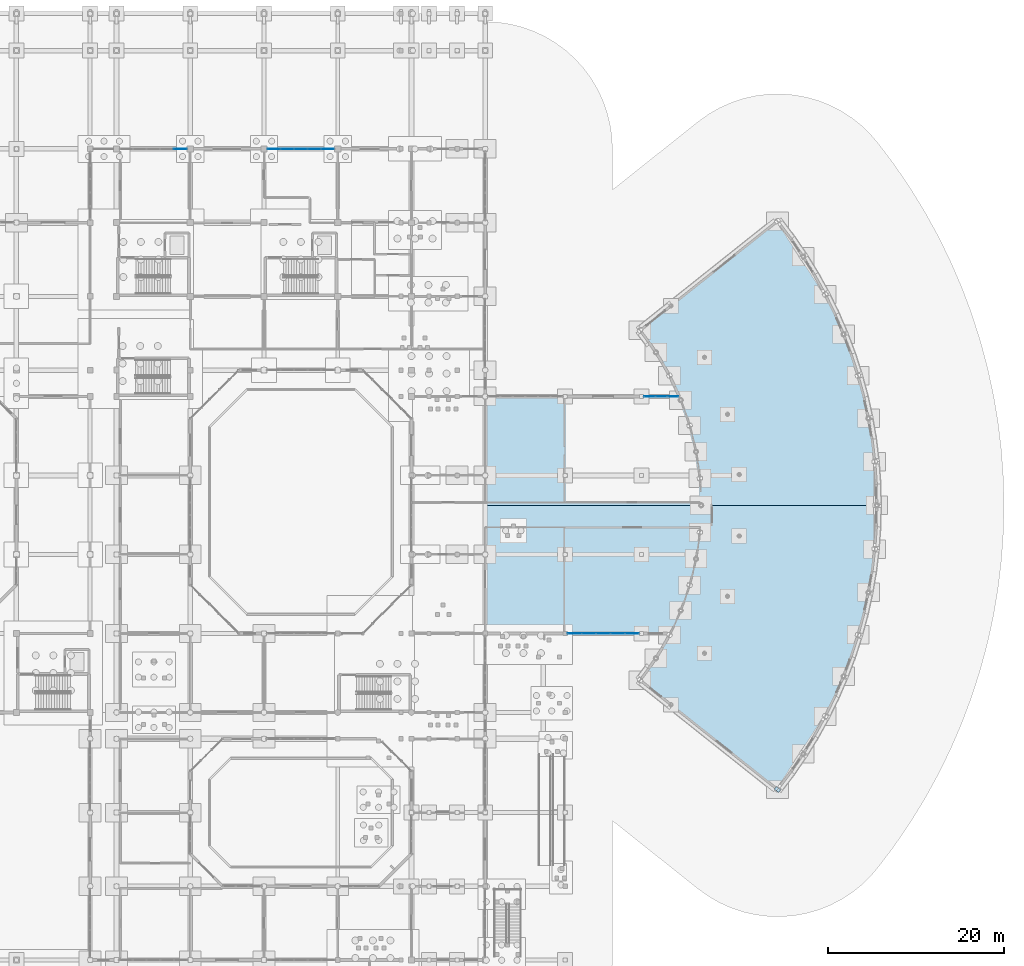
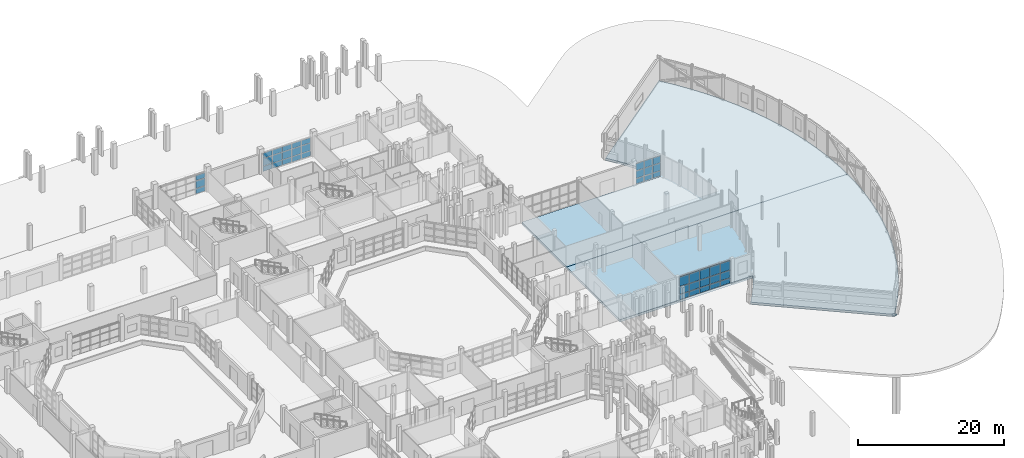
# One storey, part 54 of 88: 43 plates, 2 slabs, 4 elements without a shape of their own.
"""IFC4 building model written with IfcOpenShell, lengths in metres."""

from ifc_helpers import new_model, si_unit, direction, frame, origin, origin_2d, place, context, subcontext, project, spatial, polyline, rectangle, outline, extrude, material, layer, layer_set, type_object, element, aggregate, save


model = new_model("IFC4")

# Units and contexts
model_context = context("Model", 3, precision=1e-05, world=origin(), true_north=direction((0.0, 1.0)))
body_context = subcontext(model_context, "Body", "Model", "MODEL_VIEW")
ifc_project = project(units=[si_unit("LENGTHUNIT", "METRE"), si_unit("AREAUNIT", "SQUARE_METRE"), si_unit("VOLUMEUNIT", "CUBIC_METRE"), si_unit("PLANEANGLEUNIT", "RADIAN"), si_unit("MASSUNIT", "GRAM", prefix="KILO")], contexts=[model_context])

# Site, building, storey
site_placement = place(None, origin())
site = spatial("IfcSite", under=ifc_project, at=site_placement, CompositionType="ELEMENT")
building_placement = place(site_placement, origin())
building = spatial("IfcBuilding", under=site, at=building_placement, Name="Vanh Quang Courtyard School", CompositionType="ELEMENT")
storey_placement = place(building_placement, origin())
storey = spatial("IfcBuildingStorey", under=building, at=storey_placement, Name="L00", CompositionType="ELEMENT", Elevation=0.0)

# Curtain wall, plates
ifc_material_1 = material(Name="Thermally broken aluminium unitised curtain wall", Category="aluminium")
curtain_wall_type_1 = type_object("IfcCurtainWallType", Name="CW-SYS-02", PredefinedType="NOTDEFINED", material=ifc_material_1)
curtain_wall_1_placement = place(storey_placement, origin())
curtain_wall_1 = element("IfcCurtainWall", 1, at=curtain_wall_1_placement, inside=storey, type_object=curtain_wall_type_1, Name="Curtain Wall CW-02 (L00)", PredefinedType="NOTDEFINED")
ifc_material_2 = material(Name="Low-E laminated double glazing", Category="glass")
ifc_layer_1 = layer(ifc_material_2, 0.028076171875)
ifc_layer_set_1 = layer_set([ifc_layer_1], Name="Low-E laminated double glazing")
plate_type_1 = type_object("IfcPlateType", Name="CW-PNL-28", PredefinedType="CURTAIN_PANEL", material=ifc_layer_set_1)
plate_1_placement = place(storey_placement, frame((95.343994140625, 96.60009765625, 0.06982421875), z_axis=(0.0, 0.0, 1.0), x_axis=(1.0, 0.0, 0.0)))
plate_1 = element("IfcPlate", 2, at=plate_1_placement, type_object=plate_type_1, Name="CW-02 panel 1.1", PredefinedType="CURTAIN_PANEL", context=body_context, shape_type="SweptSolid", body=[
    extrude(rectangle(XDim=1.431884765625, YDim=0.028076171875, at=origin_2d()), origin(), (0.0, 0.0, 1.0), 0.844970703125),
])
plate_2_placement = place(storey_placement, frame((95.343994140625, 96.60009765625, 0.985107421875), z_axis=(0.0, 0.0, 1.0), x_axis=(1.0, 0.0, 0.0)))
plate_2 = element("IfcPlate", 3, at=plate_2_placement, type_object=plate_type_1, Name="CW-02 panel 1.2", PredefinedType="CURTAIN_PANEL", context=body_context, shape_type="SweptSolid", body=[
    extrude(rectangle(XDim=1.431884765625, YDim=0.028076171875, at=origin_2d()), origin(), (0.0, 0.0, 1.0), 1.22998046875),
])
plate_3_placement = place(storey_placement, frame((95.343994140625, 96.60009765625, 2.28515625), z_axis=(0.0, 0.0, 1.0), x_axis=(1.0, 0.0, 0.0)))
plate_3 = element("IfcPlate", 4, at=plate_3_placement, type_object=plate_type_1, Name="CW-02 panel 1.3", PredefinedType="CURTAIN_PANEL", context=body_context, shape_type="SweptSolid", body=[
    extrude(rectangle(XDim=1.431884765625, YDim=0.028076171875, at=origin_2d()), origin(), (0.0, 0.0, 1.0), 0.864990234375),
])
plate_4_placement = place(storey_placement, frame((96.86328125, 96.60009765625, 0.06982421875), z_axis=(0.0, 0.0, 1.0), x_axis=(1.0, 0.0, 0.0)))
plate_4 = element("IfcPlate", 5, at=plate_4_placement, type_object=plate_type_1, Name="CW-02 panel 2.1", PredefinedType="CURTAIN_PANEL", context=body_context, shape_type="SweptSolid", body=[
    extrude(rectangle(XDim=1.466796875, YDim=0.028076171875, at=origin_2d()), origin(), (0.0, 0.0, 1.0), 0.844970703125),
])
plate_5_placement = place(storey_placement, frame((96.86328125, 96.60009765625, 0.985107421875), z_axis=(0.0, 0.0, 1.0), x_axis=(1.0, 0.0, 0.0)))
plate_5 = element("IfcPlate", 6, at=plate_5_placement, type_object=plate_type_1, Name="CW-02 panel 2.2", PredefinedType="CURTAIN_PANEL", context=body_context, shape_type="SweptSolid", body=[
    extrude(rectangle(XDim=1.466796875, YDim=0.028076171875, at=origin_2d()), origin(), (0.0, 0.0, 1.0), 1.22998046875),
])
plate_6_placement = place(storey_placement, frame((96.86328125, 96.60009765625, 2.28515625), z_axis=(0.0, 0.0, 1.0), x_axis=(1.0, 0.0, 0.0)))
plate_6 = element("IfcPlate", 7, at=plate_6_placement, type_object=plate_type_1, Name="CW-02 panel 2.3", PredefinedType="CURTAIN_PANEL", context=body_context, shape_type="SweptSolid", body=[
    extrude(rectangle(XDim=1.466796875, YDim=0.028076171875, at=origin_2d()), origin(), (0.0, 0.0, 1.0), 0.864990234375),
])
plate_7_placement = place(storey_placement, frame((98.39990234375, 96.60009765625, 0.06982421875), z_axis=(0.0, 0.0, 1.0), x_axis=(1.0, 0.0, 0.0)))
plate_7 = element("IfcPlate", 8, at=plate_7_placement, type_object=plate_type_1, Name="CW-02 panel 3.1", PredefinedType="CURTAIN_PANEL", context=body_context, shape_type="SweptSolid", body=[
    extrude(rectangle(XDim=1.466796875, YDim=0.028076171875, at=origin_2d()), origin(), (0.0, 0.0, 1.0), 0.844970703125),
])
plate_8_placement = place(storey_placement, frame((98.39990234375, 96.60009765625, 0.985107421875), z_axis=(0.0, 0.0, 1.0), x_axis=(1.0, 0.0, 0.0)))
plate_8 = element("IfcPlate", 9, at=plate_8_placement, type_object=plate_type_1, Name="CW-02 panel 3.2", PredefinedType="CURTAIN_PANEL", context=body_context, shape_type="SweptSolid", body=[
    extrude(rectangle(XDim=1.466796875, YDim=0.028076171875, at=origin_2d()), origin(), (0.0, 0.0, 1.0), 1.22998046875),
])
plate_9_placement = place(storey_placement, frame((98.39990234375, 96.60009765625, 2.28515625), z_axis=(0.0, 0.0, 1.0), x_axis=(1.0, 0.0, 0.0)))
plate_9 = element("IfcPlate", 10, at=plate_9_placement, type_object=plate_type_1, Name="CW-02 panel 3.3", PredefinedType="CURTAIN_PANEL", context=body_context, shape_type="SweptSolid", body=[
    extrude(rectangle(XDim=1.466796875, YDim=0.028076171875, at=origin_2d()), origin(), (0.0, 0.0, 1.0), 0.864990234375),
])
plate_10_placement = place(storey_placement, frame((99.936767578125, 96.60009765625, 0.06982421875), z_axis=(0.0, 0.0, 1.0), x_axis=(1.0, 0.0, 0.0)))
plate_10 = element("IfcPlate", 11, at=plate_10_placement, type_object=plate_type_1, Name="CW-02 panel 4.1", PredefinedType="CURTAIN_PANEL", context=body_context, shape_type="SweptSolid", body=[
    extrude(rectangle(XDim=1.466796875, YDim=0.028076171875, at=origin_2d()), origin(), (0.0, 0.0, 1.0), 0.844970703125),
])
plate_11_placement = place(storey_placement, frame((99.936767578125, 96.60009765625, 0.985107421875), z_axis=(0.0, 0.0, 1.0), x_axis=(1.0, 0.0, 0.0)))
plate_11 = element("IfcPlate", 12, at=plate_11_placement, type_object=plate_type_1, Name="CW-02 panel 4.2", PredefinedType="CURTAIN_PANEL", context=body_context, shape_type="SweptSolid", body=[
    extrude(rectangle(XDim=1.466796875, YDim=0.028076171875, at=origin_2d()), origin(), (0.0, 0.0, 1.0), 1.22998046875),
])
plate_12_placement = place(storey_placement, frame((99.936767578125, 96.60009765625, 2.28515625), z_axis=(0.0, 0.0, 1.0), x_axis=(1.0, 0.0, 0.0)))
plate_12 = element("IfcPlate", 13, at=plate_12_placement, type_object=plate_type_1, Name="CW-02 panel 4.3", PredefinedType="CURTAIN_PANEL", context=body_context, shape_type="SweptSolid", body=[
    extrude(rectangle(XDim=1.466796875, YDim=0.028076171875, at=origin_2d()), origin(), (0.0, 0.0, 1.0), 0.864990234375),
])
plate_13_placement = place(storey_placement, frame((101.4560546875, 96.60009765625, 0.06982421875), z_axis=(0.0, 0.0, 1.0), x_axis=(1.0, 0.0, 0.0)))
plate_13 = element("IfcPlate", 14, at=plate_13_placement, type_object=plate_type_1, Name="CW-02 panel 5.1", PredefinedType="CURTAIN_PANEL", context=body_context, shape_type="SweptSolid", body=[
    extrude(rectangle(XDim=1.431884765625, YDim=0.028076171875, at=origin_2d()), origin(), (0.0, 0.0, 1.0), 0.844970703125),
])
plate_14_placement = place(storey_placement, frame((101.4560546875, 96.60009765625, 0.985107421875), z_axis=(0.0, 0.0, 1.0), x_axis=(1.0, 0.0, 0.0)))
plate_14 = element("IfcPlate", 15, at=plate_14_placement, type_object=plate_type_1, Name="CW-02 panel 5.2", PredefinedType="CURTAIN_PANEL", context=body_context, shape_type="SweptSolid", body=[
    extrude(rectangle(XDim=1.431884765625, YDim=0.028076171875, at=origin_2d()), origin(), (0.0, 0.0, 1.0), 1.22998046875),
])
plate_15_placement = place(storey_placement, frame((101.4560546875, 96.60009765625, 2.28515625), z_axis=(0.0, 0.0, 1.0), x_axis=(1.0, 0.0, 0.0)))
plate_15 = element("IfcPlate", 16, at=plate_15_placement, type_object=plate_type_1, Name="CW-02 panel 5.3", PredefinedType="CURTAIN_PANEL", context=body_context, shape_type="SweptSolid", body=[
    extrude(rectangle(XDim=1.431884765625, YDim=0.028076171875, at=origin_2d()), origin(), (0.0, 0.0, 1.0), 0.864990234375),
])
aggregate(curtain_wall_1, [plate_1, plate_2, plate_3, plate_4, plate_5, plate_6, plate_7, plate_8, plate_9, plate_10, plate_11, plate_12, plate_13, plate_14, plate_15])

curtain_wall_type_2 = type_object("IfcCurtainWallType", Name="CW-SYS-04", PredefinedType="NOTDEFINED", material=ifc_material_1)
curtain_wall_2_placement = place(storey_placement, origin())
curtain_wall_2 = element("IfcCurtainWall", 17, at=curtain_wall_2_placement, inside=storey, type_object=curtain_wall_type_2, Name="Curtain Wall CW-04 (L00)", PredefinedType="NOTDEFINED")
plate_16_placement = place(storey_placement, frame((138.150146484375, 68.39990234375, 0.080078125), z_axis=(0.0, 0.0, 1.0), x_axis=(1.0, 0.0, 0.0)))
plate_16 = element("IfcPlate", 18, at=plate_16_placement, type_object=plate_type_1, Name="CW-04 panel 1.1", PredefinedType="CURTAIN_PANEL", context=body_context, shape_type="SweptSolid", body=[
    extrude(rectangle(XDim=1.224609375, YDim=0.028076171875, at=origin_2d()), origin(), (0.0, 0.0, 1.0), 0.830078125),
])
plate_17_placement = place(storey_placement, frame((138.150146484375, 68.39990234375, 0.990234375), z_axis=(0.0, 0.0, 1.0), x_axis=(1.0, 0.0, 0.0)))
plate_17 = element("IfcPlate", 19, at=plate_17_placement, type_object=plate_type_1, Name="CW-04 panel 1.2", PredefinedType="CURTAIN_PANEL", context=body_context, shape_type="SweptSolid", body=[
    extrude(rectangle(XDim=1.224609375, YDim=0.028076171875, at=origin_2d()), origin(), (0.0, 0.0, 1.0), 1.219970703125),
])
plate_18_placement = place(storey_placement, frame((138.150146484375, 68.39990234375, 2.2900390625), z_axis=(0.0, 0.0, 1.0), x_axis=(1.0, 0.0, 0.0)))
plate_18 = element("IfcPlate", 20, at=plate_18_placement, type_object=plate_type_1, Name="CW-04 panel 1.3", PredefinedType="CURTAIN_PANEL", context=body_context, shape_type="SweptSolid", body=[
    extrude(rectangle(XDim=1.224609375, YDim=0.028076171875, at=origin_2d()), origin(), (0.0, 0.0, 1.0), 1.169921875),
])
plate_19_placement = place(storey_placement, frame((139.474853515625, 68.39990234375, 0.080078125), z_axis=(0.0, 0.0, 1.0), x_axis=(1.0, 0.0, 0.0)))
plate_19 = element("IfcPlate", 21, at=plate_19_placement, type_object=plate_type_1, Name="CW-04 panel 2.1", PredefinedType="CURTAIN_PANEL", context=body_context, shape_type="SweptSolid", body=[
    extrude(rectangle(XDim=1.2646484375, YDim=0.028076171875, at=origin_2d()), origin(), (0.0, 0.0, 1.0), 0.830078125),
])
plate_20_placement = place(storey_placement, frame((139.474853515625, 68.39990234375, 0.990234375), z_axis=(0.0, 0.0, 1.0), x_axis=(1.0, 0.0, 0.0)))
plate_20 = element("IfcPlate", 22, at=plate_20_placement, type_object=plate_type_1, Name="CW-04 panel 2.2", PredefinedType="CURTAIN_PANEL", context=body_context, shape_type="SweptSolid", body=[
    extrude(rectangle(XDim=1.2646484375, YDim=0.028076171875, at=origin_2d()), origin(), (0.0, 0.0, 1.0), 1.219970703125),
])
plate_21_placement = place(storey_placement, frame((139.474853515625, 68.39990234375, 2.2900390625), z_axis=(0.0, 0.0, 1.0), x_axis=(1.0, 0.0, 0.0)))
plate_21 = element("IfcPlate", 23, at=plate_21_placement, type_object=plate_type_1, Name="CW-04 panel 2.3", PredefinedType="CURTAIN_PANEL", context=body_context, shape_type="SweptSolid", body=[
    extrude(rectangle(XDim=1.2646484375, YDim=0.028076171875, at=origin_2d()), origin(), (0.0, 0.0, 1.0), 1.169921875),
])
plate_22_placement = place(storey_placement, frame((140.79931640625, 68.39990234375, 0.080078125), z_axis=(0.0, 0.0, 1.0), x_axis=(1.0, 0.0, 0.0)))
plate_22 = element("IfcPlate", 24, at=plate_22_placement, type_object=plate_type_1, Name="CW-04 panel 3.1", PredefinedType="CURTAIN_PANEL", context=body_context, shape_type="SweptSolid", body=[
    extrude(rectangle(XDim=1.224609375, YDim=0.028076171875, at=origin_2d()), origin(), (0.0, 0.0, 1.0), 0.830078125),
])
plate_23_placement = place(storey_placement, frame((140.79931640625, 68.39990234375, 0.990234375), z_axis=(0.0, 0.0, 1.0), x_axis=(1.0, 0.0, 0.0)))
plate_23 = element("IfcPlate", 25, at=plate_23_placement, type_object=plate_type_1, Name="CW-04 panel 3.2", PredefinedType="CURTAIN_PANEL", context=body_context, shape_type="SweptSolid", body=[
    extrude(rectangle(XDim=1.224609375, YDim=0.028076171875, at=origin_2d()), origin(), (0.0, 0.0, 1.0), 1.219970703125),
])
plate_24_placement = place(storey_placement, frame((140.79931640625, 68.39990234375, 2.2900390625), z_axis=(0.0, 0.0, 1.0), x_axis=(1.0, 0.0, 0.0)))
plate_24 = element("IfcPlate", 26, at=plate_24_placement, type_object=plate_type_1, Name="CW-04 panel 3.3", PredefinedType="CURTAIN_PANEL", context=body_context, shape_type="SweptSolid", body=[
    extrude(rectangle(XDim=1.224609375, YDim=0.028076171875, at=origin_2d()), origin(), (0.0, 0.0, 1.0), 1.169921875),
])
aggregate(curtain_wall_2, [plate_16, plate_17, plate_18, plate_19, plate_20, plate_21, plate_22, plate_23, plate_24])

curtain_wall_3_placement = place(storey_placement, origin())
curtain_wall_3 = element("IfcCurtainWall", 27, at=curtain_wall_3_placement, inside=storey, type_object=curtain_wall_type_1, Name="Curtain Wall CW-02 (L00)", PredefinedType="NOTDEFINED")
ifc_layer_2 = layer(ifc_material_2, 0.031982421875)
ifc_layer_set_2 = layer_set([ifc_layer_2], Name="Low-E laminated double glazing")
plate_type_2 = type_object("IfcPlateType", Name="CW-PNL-32", PredefinedType="CURTAIN_PANEL", material=ifc_layer_set_2)
plate_25_placement = place(storey_placement, frame((84.65869140625, 96.60009765625, 0.06005859375), z_axis=(0.0, 0.0, 1.0), x_axis=(1.0, 0.0, 0.0)))
plate_25 = element("IfcPlate", 28, at=plate_25_placement, type_object=plate_type_2, Name="CW-02 panel 5.1", PredefinedType="CURTAIN_PANEL", context=body_context, shape_type="SweptSolid", body=[
    extrude(rectangle(XDim=1.44677734375, YDim=0.031982421875, at=origin_2d()), origin(), (0.0, 0.0, 1.0), 0.860107421875),
])
plate_26_placement = place(storey_placement, frame((84.65869140625, 96.60009765625, 0.97998046875), z_axis=(0.0, 0.0, 1.0), x_axis=(1.0, 0.0, 0.0)))
plate_26 = element("IfcPlate", 29, at=plate_26_placement, type_object=plate_type_2, Name="CW-02 panel 5.2", PredefinedType="CURTAIN_PANEL", context=body_context, shape_type="SweptSolid", body=[
    extrude(rectangle(XDim=1.44677734375, YDim=0.031982421875, at=origin_2d()), origin(), (0.0, 0.0, 1.0), 1.239990234375),
])
plate_27_placement = place(storey_placement, frame((84.65869140625, 96.60009765625, 2.280029296875), z_axis=(0.0, 0.0, 1.0), x_axis=(1.0, 0.0, 0.0)))
plate_27 = element("IfcPlate", 30, at=plate_27_placement, type_object=plate_type_2, Name="CW-02 panel 5.3", PredefinedType="CURTAIN_PANEL", context=body_context, shape_type="SweptSolid", body=[
    extrude(rectangle(XDim=1.44677734375, YDim=0.031982421875, at=origin_2d()), origin(), (0.0, 0.0, 1.0), 0.8798828125),
])
aggregate(curtain_wall_3, [plate_25, plate_26, plate_27])

curtain_wall_type_3 = type_object("IfcCurtainWallType", Name="CW-SYS-05", PredefinedType="NOTDEFINED", material=ifc_material_1)
curtain_wall_4_placement = place(storey_placement, origin())
curtain_wall_4 = element("IfcCurtainWall", 31, at=curtain_wall_4_placement, inside=storey, type_object=curtain_wall_type_3, Name="Curtain Wall CW-05 (L00)", PredefinedType="NOTDEFINED")
plate_28_placement = place(storey_placement, frame((136.108642578125, 41.39990234375, 0.06005859375), z_axis=(0.0, 0.0, 1.0), x_axis=(-1.0, 0.0, 0.0)))
plate_28 = element("IfcPlate", 32, at=plate_28_placement, type_object=plate_type_2, Name="CW-05 panel 1.1", PredefinedType="CURTAIN_PANEL", context=body_context, shape_type="SweptSolid", body=[
    extrude(rectangle(XDim=1.546875, YDim=0.031982421875, at=origin_2d()), origin(), (0.0, 0.0, 1.0), 0.860107421875),
])
plate_29_placement = place(storey_placement, frame((136.108642578125, 41.39990234375, 0.97998046875), z_axis=(0.0, 0.0, 1.0), x_axis=(-1.0, 0.0, 0.0)))
plate_29 = element("IfcPlate", 33, at=plate_29_placement, type_object=plate_type_2, Name="CW-05 panel 1.2", PredefinedType="CURTAIN_PANEL", context=body_context, shape_type="SweptSolid", body=[
    extrude(rectangle(XDim=1.546875, YDim=0.031982421875, at=origin_2d()), origin(), (0.0, 0.0, 1.0), 1.239990234375),
])
plate_30_placement = place(storey_placement, frame((136.108642578125, 41.39990234375, 2.280029296875), z_axis=(0.0, 0.0, 1.0), x_axis=(-1.0, 0.0, 0.0)))
plate_30 = element("IfcPlate", 34, at=plate_30_placement, type_object=plate_type_2, Name="CW-05 panel 1.3", PredefinedType="CURTAIN_PANEL", context=body_context, shape_type="SweptSolid", body=[
    extrude(rectangle(XDim=1.546875, YDim=0.031982421875, at=origin_2d()), origin(), (0.0, 0.0, 1.0), 1.580078125),
])
plate_31_placement = place(storey_placement, frame((134.48681640625, 41.39990234375, 0.06005859375), z_axis=(0.0, 0.0, 1.0), x_axis=(-1.0, 0.0, 0.0)))
plate_31 = element("IfcPlate", 35, at=plate_31_placement, type_object=plate_type_2, Name="CW-05 panel 2.1", PredefinedType="CURTAIN_PANEL", context=body_context, shape_type="SweptSolid", body=[
    extrude(rectangle(XDim=1.576904296875, YDim=0.031982421875, at=origin_2d()), origin(), (0.0, 0.0, 1.0), 0.860107421875),
])
plate_32_placement = place(storey_placement, frame((134.48681640625, 41.39990234375, 0.97998046875), z_axis=(0.0, 0.0, 1.0), x_axis=(-1.0, 0.0, 0.0)))
plate_32 = element("IfcPlate", 36, at=plate_32_placement, type_object=plate_type_2, Name="CW-05 panel 2.2", PredefinedType="CURTAIN_PANEL", context=body_context, shape_type="SweptSolid", body=[
    extrude(rectangle(XDim=1.576904296875, YDim=0.031982421875, at=origin_2d()), origin(), (0.0, 0.0, 1.0), 1.239990234375),
])
plate_33_placement = place(storey_placement, frame((134.48681640625, 41.39990234375, 2.280029296875), z_axis=(0.0, 0.0, 1.0), x_axis=(-1.0, 0.0, 0.0)))
plate_33 = element("IfcPlate", 37, at=plate_33_placement, type_object=plate_type_2, Name="CW-05 panel 2.3", PredefinedType="CURTAIN_PANEL", context=body_context, shape_type="SweptSolid", body=[
    extrude(rectangle(XDim=1.576904296875, YDim=0.031982421875, at=origin_2d()), origin(), (0.0, 0.0, 1.0), 1.580078125),
])
plate_34_placement = place(storey_placement, frame((132.85009765625, 41.39990234375, 0.06005859375), z_axis=(0.0, 0.0, 1.0), x_axis=(-1.0, 0.0, 0.0)))
plate_34 = element("IfcPlate", 38, at=plate_34_placement, type_object=plate_type_2, Name="CW-05 panel 3.1", PredefinedType="CURTAIN_PANEL", context=body_context, shape_type="SweptSolid", body=[
    extrude(rectangle(XDim=1.576904296875, YDim=0.031982421875, at=origin_2d()), origin(), (0.0, 0.0, 1.0), 0.860107421875),
])
plate_35_placement = place(storey_placement, frame((132.85009765625, 41.39990234375, 0.97998046875), z_axis=(0.0, 0.0, 1.0), x_axis=(-1.0, 0.0, 0.0)))
plate_35 = element("IfcPlate", 39, at=plate_35_placement, type_object=plate_type_2, Name="CW-05 panel 3.2", PredefinedType="CURTAIN_PANEL", context=body_context, shape_type="SweptSolid", body=[
    extrude(rectangle(XDim=1.576904296875, YDim=0.031982421875, at=origin_2d()), origin(), (0.0, 0.0, 1.0), 1.239990234375),
])
plate_36_placement = place(storey_placement, frame((132.85009765625, 41.39990234375, 2.280029296875), z_axis=(0.0, 0.0, 1.0), x_axis=(-1.0, 0.0, 0.0)))
plate_36 = element("IfcPlate", 40, at=plate_36_placement, type_object=plate_type_2, Name="CW-05 panel 3.3", PredefinedType="CURTAIN_PANEL", context=body_context, shape_type="SweptSolid", body=[
    extrude(rectangle(XDim=1.576904296875, YDim=0.031982421875, at=origin_2d()), origin(), (0.0, 0.0, 1.0), 1.580078125),
])
plate_37_placement = place(storey_placement, frame((131.213134765625, 41.39990234375, 0.06005859375), z_axis=(0.0, 0.0, 1.0), x_axis=(-1.0, 0.0, 0.0)))
plate_37 = element("IfcPlate", 41, at=plate_37_placement, type_object=plate_type_2, Name="CW-05 panel 4.1", PredefinedType="CURTAIN_PANEL", context=body_context, shape_type="SweptSolid", body=[
    extrude(rectangle(XDim=1.576904296875, YDim=0.031982421875, at=origin_2d()), origin(), (0.0, 0.0, 1.0), 0.860107421875),
])
plate_38_placement = place(storey_placement, frame((131.213134765625, 41.39990234375, 0.97998046875), z_axis=(0.0, 0.0, 1.0), x_axis=(-1.0, 0.0, 0.0)))
plate_38 = element("IfcPlate", 42, at=plate_38_placement, type_object=plate_type_2, Name="CW-05 panel 4.2", PredefinedType="CURTAIN_PANEL", context=body_context, shape_type="SweptSolid", body=[
    extrude(rectangle(XDim=1.576904296875, YDim=0.031982421875, at=origin_2d()), origin(), (0.0, 0.0, 1.0), 1.239990234375),
])
plate_39_placement = place(storey_placement, frame((131.213134765625, 41.39990234375, 2.280029296875), z_axis=(0.0, 0.0, 1.0), x_axis=(-1.0, 0.0, 0.0)))
plate_39 = element("IfcPlate", 43, at=plate_39_placement, type_object=plate_type_2, Name="CW-05 panel 4.3", PredefinedType="CURTAIN_PANEL", context=body_context, shape_type="SweptSolid", body=[
    extrude(rectangle(XDim=1.576904296875, YDim=0.031982421875, at=origin_2d()), origin(), (0.0, 0.0, 1.0), 1.580078125),
])
plate_40_placement = place(storey_placement, frame((129.59130859375, 41.39990234375, 0.06005859375), z_axis=(0.0, 0.0, 1.0), x_axis=(-1.0, 0.0, 0.0)))
plate_40 = element("IfcPlate", 44, at=plate_40_placement, type_object=plate_type_2, Name="CW-05 panel 5.1", PredefinedType="CURTAIN_PANEL", context=body_context, shape_type="SweptSolid", body=[
    extrude(rectangle(XDim=1.546875, YDim=0.031982421875, at=origin_2d()), origin(), (0.0, 0.0, 1.0), 0.860107421875),
])
plate_41_placement = place(storey_placement, frame((129.59130859375, 41.39990234375, 0.97998046875), z_axis=(0.0, 0.0, 1.0), x_axis=(-1.0, 0.0, 0.0)))
plate_41 = element("IfcPlate", 45, at=plate_41_placement, type_object=plate_type_2, Name="CW-05 panel 5.2", PredefinedType="CURTAIN_PANEL", context=body_context, shape_type="SweptSolid", body=[
    extrude(rectangle(XDim=1.546875, YDim=0.031982421875, at=origin_2d()), origin(), (0.0, 0.0, 1.0), 1.239990234375),
])
plate_42_placement = place(storey_placement, frame((129.59130859375, 41.39990234375, 2.280029296875), z_axis=(0.0, 0.0, 1.0), x_axis=(-1.0, 0.0, 0.0)))
plate_42 = element("IfcPlate", 46, at=plate_42_placement, type_object=plate_type_2, Name="CW-05 panel 5.3", PredefinedType="CURTAIN_PANEL", context=body_context, shape_type="SweptSolid", body=[
    extrude(rectangle(XDim=1.546875, YDim=0.031982421875, at=origin_2d()), origin(), (0.0, 0.0, 1.0), 1.580078125),
])
aggregate(curtain_wall_4, [plate_28, plate_29, plate_30, plate_31, plate_32, plate_33, plate_34, plate_35, plate_36, plate_37, plate_38, plate_39, plate_40, plate_41, plate_42])

# Plate
ifc_material_3 = material(Name="Structural steel EN 10025-2 S355J2", Category="steel")
ifc_layer_3 = layer(ifc_material_3, 0.031982421875)
ifc_layer_set_3 = layer_set([ifc_layer_3], Name="Structural steel EN 10025-2 S355J2")
plate_type_3 = type_object("IfcPlateType", Name="PLT-BASE-600x400x32", PredefinedType="SHEET", material=ifc_layer_set_3)
plate_43_placement = place(storey_placement, frame((152.695556640625, 23.629150390625, 0.0), z_axis=(0.0, 0.0, 1.0), x_axis=(0.782608156852, -0.622514636638, 0.0)))
element("IfcPlate", 47, at=plate_43_placement, inside=storey, type_object=plate_type_3, Name="Plate PB-01 (L00)", PredefinedType="SHEET", context=body_context, shape_type="SweptSolid", body=[
    extrude(rectangle(XDim=0.60009765625, YDim=0.39990234375, at=origin_2d()), origin(), (0.0, 0.0, 1.0), 0.031982421875),
])

# Slabs
ifc_material_4 = material(Name="Concrete C30/37", Category="concrete")
ifc_layer_4 = layer(ifc_material_4, 0.39990234375)
ifc_layer_set_4 = layer_set([ifc_layer_4], Name="Concrete C30/37")
slab_type = type_object("IfcSlabType", Name="SLB-BASE-400", PredefinedType="BASESLAB", material=ifc_layer_set_4)
slab_1_placement = place(storey_placement, frame((0.0, 0.0, -0.39990234375)))
element("IfcSlab", 48, at=slab_1_placement, inside=storey, type_object=slab_type, Name="Slab BSL-01 (L00)", PredefinedType="BASESLAB", context=body_context, shape_type="SweptSolid", body=[
    extrude(outline(polyline([(164.0, 56.0), (119.39990234375, 56.0), (119.39990234375, 41.39990234375), (140.470703125, 41.39990234375), (140.38427734375, 41.22412109375), (139.642578125, 39.879150390625), (138.83740234375, 38.571533203125), (137.970458984375, 37.303955078125), (137.04345703125, 36.07958984375), (152.695556640625, 23.629150390625), (154.201904296875, 25.618896484375), (155.61083984375, 27.6787109375), (156.91943359375, 29.8037109375), (158.12451171875, 31.989013671875), (159.223388671875, 34.229736328125), (160.213623046875, 36.5205078125), (161.092529296875, 38.856201171875), (161.858642578125, 41.231201171875), (162.509765625, 43.640380859375), (163.044677734375, 46.077880859375), (163.4619140625, 48.538330078125), (163.760498046875, 51.01611328125), (163.940185546875, 53.505126953125), (164.0, 56.0)])), origin(), (0.0, 0.0, 1.0), 0.39990234375),
])
slab_2_placement = place(storey_placement, frame((0.0, 0.0, -0.39990234375)))
element("IfcSlab", 49, at=slab_2_placement, inside=storey, type_object=slab_type, Name="Slab BSL-01 (L00)", PredefinedType="BASESLAB", context=body_context, shape_type="SweptSolid", body=[
    extrude(outline(polyline([(141.49169921875, 68.39990234375), (119.39990234375, 68.39990234375), (119.39990234375, 56.0), (164.0, 56.0), (163.940185546875, 58.494873046875), (163.760498046875, 60.98388671875), (163.4619140625, 63.461669921875), (163.044677734375, 65.922119140625), (162.509765625, 68.359619140625), (161.858642578125, 70.768798828125), (161.092529296875, 73.143798828125), (160.213623046875, 75.4794921875), (159.223388671875, 77.770263671875), (158.12451171875, 80.010986328125), (156.91943359375, 82.1962890625), (155.61083984375, 84.3212890625), (154.201904296875, 86.381103515625), (152.695556640625, 88.370849609375), (137.04345703125, 75.92041015625), (137.970458984375, 74.696044921875), (138.83740234375, 73.428466796875), (139.642578125, 72.120849609375), (140.38427734375, 70.77587890625), (141.060546875, 69.397216796875), (141.49169921875, 68.39990234375)])), origin(), (0.0, 0.0, 1.0), 0.39990234375),
])

save(model, "model.ifc")
